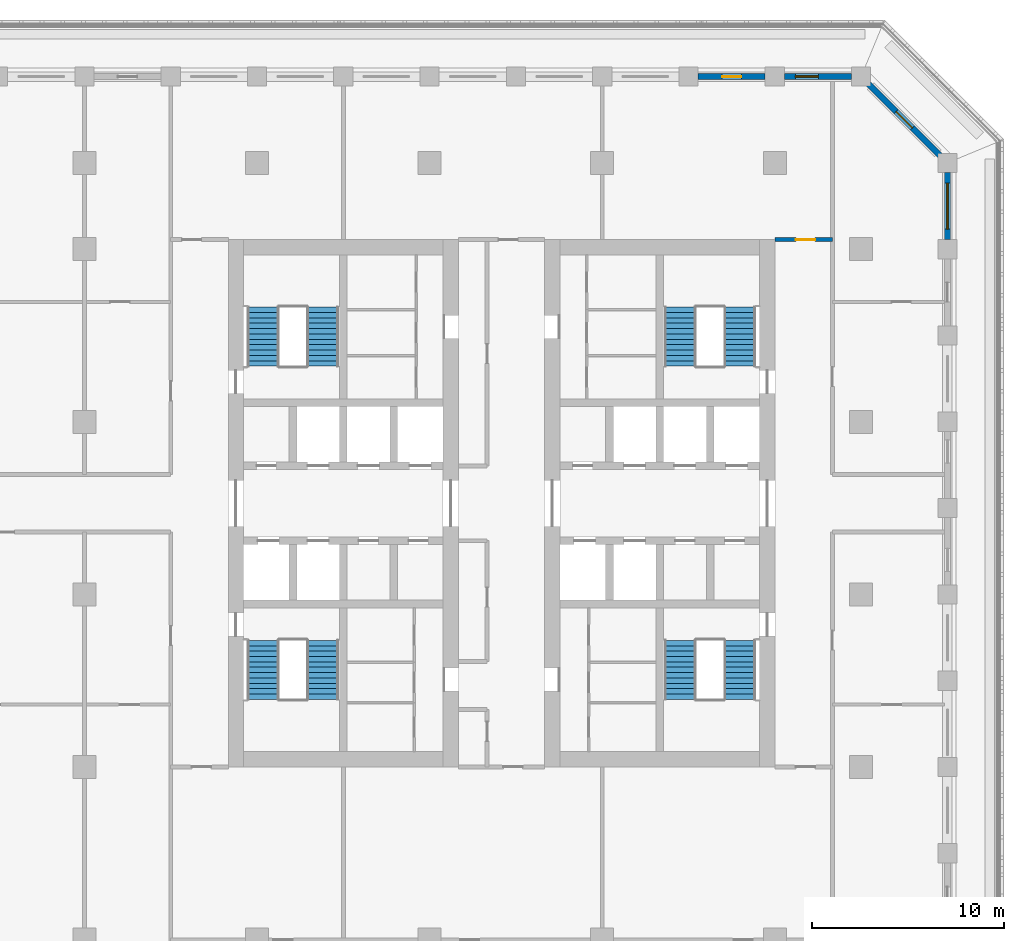
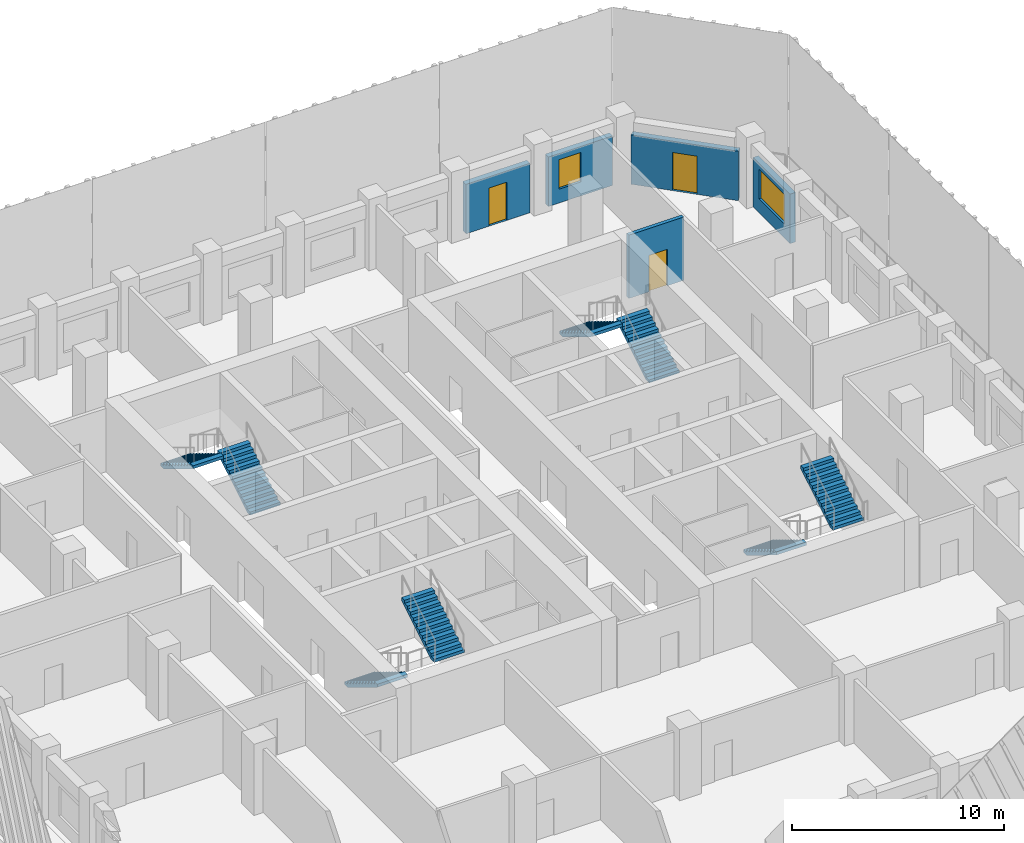
# One storey, part 8 of 16: 8 stair flights, 5 walls, 3 doors, 2 windows, 5 openings, 4 elements without a shape of their own.
"""IFC4 building model written with IfcOpenShell, lengths in metres."""

from ifc_helpers import new_model, si_unit, direction, frame, frame_2d, origin, place, context, subcontext, project, spatial, polyline, rectangle, outline, extrude, material, layer, layer_set, type_object, element, fill, aggregate, save


model = new_model("IFC4")

# Units and contexts
model_context = context("Model", 3, precision=1e-05, world=origin(), true_north=direction((0.0, 1.0)))
body_context = subcontext(model_context, "Body", "Model", "MODEL_VIEW")
ifc_project = project(units=[si_unit("LENGTHUNIT", "METRE"), si_unit("AREAUNIT", "SQUARE_METRE"), si_unit("VOLUMEUNIT", "CUBIC_METRE"), si_unit("PLANEANGLEUNIT", "RADIAN"), si_unit("MASSUNIT", "GRAM", prefix="KILO")], contexts=[model_context])

# Site, building, storey
site_placement = place(None, origin())
site = spatial("IfcSite", under=ifc_project, at=site_placement, CompositionType="ELEMENT")
building_placement = place(site_placement, origin())
building = spatial("IfcBuilding", under=site, at=building_placement, Name="Corbel Stack Research Tower", CompositionType="ELEMENT")
storey_placement = place(building_placement, frame((0.0, 0.0, 165.0)))
storey = spatial("IfcBuildingStorey", under=building, at=storey_placement, Name="L37", CompositionType="ELEMENT", Elevation=165.0)

# Wall, opening, door
ifc_material_1 = material(Name="Fire-rated gypsum board partition on steel studs", Category="steel")
ifc_layer_1 = layer(ifc_material_1, 0.199951171875)
ifc_layer_set_1 = layer_set([ifc_layer_1], Name="Fire-rated gypsum board partition on steel studs")
wall_type_1 = type_object("IfcWallType", Name="Fire-rated partition 200 EI 60", PredefinedType="PARTITIONING", material=ifc_layer_set_1)
wall_1_placement = place(storey_placement, frame((18.0, 18.5, 0.0), z_axis=(0.0, 0.0, 1.0), x_axis=(1.0, 0.0, 0.0)))
wall_1 = element("IfcWall", 1, at=wall_1_placement, inside=storey, type_object=wall_type_1, Name="Partition L37-044", PredefinedType="PARTITIONING", context=body_context, shape_type="SweptSolid", body=[
    extrude(rectangle(XDim=3.0, YDim=0.199951171875, at=frame_2d((1.5, 0.0))), origin(), (0.0, 0.0, 1.0), 3.64990234375),
])
opening_1_placement = place(wall_1_placement, frame((1.10009765625, 0.0, 0.0)))
opening_1 = element("IfcOpeningElement", 2, at=opening_1_placement, cuts=wall_1, Name="Opening B5V1-022", PredefinedType="OPENING", context=body_context, shape_type="SweptSolid", body=[
    extrude(rectangle(XDim=1.0, YDim=2.10009765625, at=frame_2d((0.5, 1.050048828125))), frame((0.0, 0.10986328125, 0.0), z_axis=(0.0, -1.0, 0.0), x_axis=(1.0, 0.0, 0.0)), (0.0, 0.0, 1.0), 0.219970703125),
])
ifc_material_2 = material(Name="Painted steel fire door", Category="steel")
door_type_1 = type_object("IfcDoorType", Name="Fire door FD30S 1000 x 2100", OperationType="NOTDEFINED", PredefinedType="DOOR", material=ifc_material_2)
door_1_placement = place(opening_1_placement, origin())
door_1 = element("IfcDoor", 3, at=door_1_placement, inside=storey, type_object=door_type_1, Name="Door B5V1-022", OperationType="SINGLE_SWING_RIGHT", OverallHeight=2.10009765625, OverallWidth=1.0, PredefinedType="DOOR", context=body_context, shape_type="SweptSolid", body=[
    extrude(rectangle(XDim=1.0, YDim=2.10009765625, at=frame_2d((0.5, 1.050048828125))), frame((0.0, 0.02490234375, 0.0), z_axis=(0.0, -1.0, 0.0), x_axis=(1.0, 0.0, 0.0)), (0.0, 0.0, 1.0), 0.050048828125),
])
fill(opening_1, door_1)

# Wall, opening, window
ifc_material_3 = material(Name="Concrete C45/55", Category="concrete")
ifc_layer_2 = layer(ifc_material_3, 0.300048828125)
ifc_layer_set_2 = layer_set([ifc_layer_2], Name="Concrete C45/55")
wall_type_2 = type_object("IfcWallType", Name="Terracotta-faced concrete wall 300", PredefinedType="SOLIDWALL", material=ifc_layer_set_2)
wall_2_placement = place(storey_placement, frame((27.0, 22.0, 0.0), z_axis=(0.0, 0.0, 1.0), x_axis=(0.0, -1.0, 0.0)))
wall_2 = element("IfcWall", 4, at=wall_2_placement, inside=storey, type_object=wall_type_2, Name="Facade wall L37 E10", PredefinedType="SOLIDWALL", context=body_context, shape_type="SweptSolid", body=[
    extrude(rectangle(XDim=3.5, YDim=0.300048828125, at=frame_2d((1.75, 0.0))), origin(), (0.0, 0.0, 1.0), 2.85009765625),
])
opening_2_placement = place(wall_2_placement, frame((0.550048828125, 0.0, 0.800048828125)))
opening_2 = element("IfcOpeningElement", 5, at=opening_2_placement, cuts=wall_2, Name="Opening W1", PredefinedType="OPENING", context=body_context, shape_type="SweptSolid", body=[
    extrude(rectangle(XDim=2.39990234375, YDim=1.699951171875, at=frame_2d((1.199951171875, 0.85009765625))), frame((0.0, 0.159912109375, 0.0), z_axis=(0.0, -1.0, 0.0), x_axis=(1.0, 0.0, 0.0)), (0.0, 0.0, 1.0), 0.320068359375),
])
ifc_material_4 = material(Name="Aluminium frame, clear double glazing", Category="aluminium")
window_type_1 = type_object("IfcWindowType", Name="Window W1 2400 x 1700", PartitioningType="SINGLE_PANEL", PredefinedType="WINDOW", material=ifc_material_4)
window_1_placement = place(opening_2_placement, origin())
window_1 = element("IfcWindow", 6, at=window_1_placement, inside=storey, type_object=window_type_1, Name="Window W1 L37 E10", OverallHeight=1.699951171875, OverallWidth=2.39990234375, PartitioningType="SINGLE_PANEL", PredefinedType="WINDOW", context=body_context, shape_type="SweptSolid", body=[
    extrude(rectangle(XDim=2.39990234375, YDim=1.699951171875, at=frame_2d((1.199951171875, 0.85009765625))), frame((0.0, 0.030029296875, 0.0), z_axis=(0.0, -1.0, 0.0), x_axis=(1.0, 0.0, 0.0)), (0.0, 0.0, 1.0), 0.06005859375),
])
fill(opening_2, window_1)

# Wall, opening, door
wall_3_placement = place(storey_placement, frame((22.893798828125, 26.606201171875, 0.0), z_axis=(0.0, 0.0, 1.0), x_axis=(0.707106781187, -0.707106781187, 0.0)))
wall_3 = element("IfcWall", 7, at=wall_3_placement, inside=storey, type_object=wall_type_2, Name="Facade wall L37 NE01", PredefinedType="SOLIDWALL", context=body_context, shape_type="SweptSolid", body=[
    extrude(rectangle(XDim=5.250244140625, YDim=0.300048828125, at=frame_2d((2.625, 0.0))), origin(), (0.0, 0.0, 1.0), 2.85009765625),
])
opening_3_placement = place(wall_3_placement, frame((2.02490234375, 0.0, 0.0)))
opening_3 = element("IfcOpeningElement", 8, at=opening_3_placement, cuts=wall_3, Name="Opening L37-B06", PredefinedType="OPENING", context=body_context, shape_type="SweptSolid", body=[
    extrude(rectangle(XDim=1.199951171875, YDim=2.199951171875, at=frame_2d((0.60009765625, 1.10009765625))), frame((0.0, 0.159912109375, 0.0), z_axis=(0.0, -1.0, 0.0), x_axis=(1.0, 0.0, 0.0)), (0.0, 0.0, 1.0), 0.320068359375),
])
ifc_material_5 = material(Name="Aluminium frame, clear double glazing", Category="aluminium")
door_type_2 = type_object("IfcDoorType", Name="Balcony door BD2 1200 x 2200", OperationType="NOTDEFINED", PredefinedType="DOOR", material=ifc_material_5)
door_2_placement = place(opening_3_placement, origin())
door_2 = element("IfcDoor", 9, at=door_2_placement, inside=storey, type_object=door_type_2, Name="Balcony door L37-B06", OperationType="SINGLE_SWING_RIGHT", OverallHeight=2.199951171875, OverallWidth=1.199951171875, PredefinedType="DOOR", context=body_context, shape_type="SweptSolid", body=[
    extrude(rectangle(XDim=1.199951171875, YDim=2.199951171875, at=frame_2d((0.60009765625, 1.10009765625))), frame((0.0, 0.02490234375, 0.0), z_axis=(0.0, -1.0, 0.0), x_axis=(1.0, 0.0, 0.0)), (0.0, 0.0, 1.0), 0.050048828125),
])
fill(opening_3, door_2)

# Wall, opening, window
wall_4_placement = place(storey_placement, frame((18.5, 27.0, 0.0), z_axis=(0.0, 0.0, 1.0), x_axis=(1.0, 0.0, 0.0)))
wall_4 = element("IfcWall", 10, at=wall_4_placement, inside=storey, type_object=wall_type_2, Name="Facade wall L37 N01", PredefinedType="SOLIDWALL", context=body_context, shape_type="SweptSolid", body=[
    extrude(rectangle(XDim=3.5, YDim=0.300048828125, at=frame_2d((1.75, 0.0))), origin(), (0.0, 0.0, 1.0), 2.85009765625),
])
opening_4_placement = place(wall_4_placement, frame((0.574951171875, 0.0, 0.800048828125)))
opening_4 = element("IfcOpeningElement", 11, at=opening_4_placement, cuts=wall_4, Name="Opening W2", PredefinedType="OPENING", context=body_context, shape_type="SweptSolid", body=[
    extrude(rectangle(XDim=1.199951171875, YDim=1.699951171875, at=frame_2d((0.60009765625, 0.85009765625))), frame((0.0, 0.159912109375, 0.0), z_axis=(0.0, -1.0, 0.0), x_axis=(1.0, 0.0, 0.0)), (0.0, 0.0, 1.0), 0.320068359375),
])
ifc_material_6 = material(Name="Aluminium frame, clear double glazing", Category="aluminium")
window_type_2 = type_object("IfcWindowType", Name="Window W2 1200 x 1700", PartitioningType="SINGLE_PANEL", PredefinedType="WINDOW", material=ifc_material_6)
window_2_placement = place(opening_4_placement, origin())
window_2 = element("IfcWindow", 12, at=window_2_placement, inside=storey, type_object=window_type_2, Name="Window W2 L37 N01", OverallHeight=1.699951171875, OverallWidth=1.199951171875, PartitioningType="SINGLE_PANEL", PredefinedType="WINDOW", context=body_context, shape_type="SweptSolid", body=[
    extrude(rectangle(XDim=1.199951171875, YDim=1.699951171875, at=frame_2d((0.60009765625, 0.85009765625))), frame((0.0, 0.030029296875, 0.0), z_axis=(0.0, -1.0, 0.0), x_axis=(1.0, 0.0, 0.0)), (0.0, 0.0, 1.0), 0.06005859375),
])
fill(opening_4, window_2)

# Wall, opening, door
wall_5_placement = place(storey_placement, frame((14.0, 27.0, 0.0), z_axis=(0.0, 0.0, 1.0), x_axis=(1.0, 0.0, 0.0)))
wall_5 = element("IfcWall", 13, at=wall_5_placement, inside=storey, type_object=wall_type_2, Name="Facade wall L37 N02", PredefinedType="SOLIDWALL", context=body_context, shape_type="SweptSolid", body=[
    extrude(rectangle(XDim=3.5, YDim=0.300048828125, at=frame_2d((1.75, 0.0))), origin(), (0.0, 0.0, 1.0), 2.85009765625),
])
opening_5_placement = place(wall_5_placement, frame((1.25, 0.0, 0.0)))
opening_5 = element("IfcOpeningElement", 14, at=opening_5_placement, cuts=wall_5, Name="Opening L37-B07", PredefinedType="OPENING", context=body_context, shape_type="SweptSolid", body=[
    extrude(rectangle(XDim=1.0, YDim=2.199951171875, at=frame_2d((0.5, 1.10009765625))), frame((0.0, 0.159912109375, 0.0), z_axis=(0.0, -1.0, 0.0), x_axis=(1.0, 0.0, 0.0)), (0.0, 0.0, 1.0), 0.320068359375),
])
ifc_material_7 = material(Name="Aluminium frame, clear double glazing", Category="aluminium")
door_type_3 = type_object("IfcDoorType", Name="Balcony door BD1 1000 x 2200", OperationType="NOTDEFINED", PredefinedType="DOOR", material=ifc_material_7)
door_3_placement = place(opening_5_placement, origin())
door_3 = element("IfcDoor", 15, at=door_3_placement, inside=storey, type_object=door_type_3, Name="Balcony door L37-B07", OperationType="SINGLE_SWING_LEFT", OverallHeight=2.199951171875, OverallWidth=1.0, PredefinedType="DOOR", context=body_context, shape_type="SweptSolid", body=[
    extrude(rectangle(XDim=1.0, YDim=2.199951171875, at=frame_2d((0.5, 1.10009765625))), frame((0.0, 0.02490234375, 0.0), z_axis=(0.0, -1.0, 0.0), x_axis=(1.0, 0.0, 0.0)), (0.0, 0.0, 1.0), 0.050048828125),
])
fill(opening_5, door_3)

# Stair, stair flights
ifc_material_8 = material(Name="Concrete C40/50", Category="concrete")
stair_type = type_object("IfcStairType", Name="Exit stair 24 risers", PredefinedType="HALF_TURN_STAIR", material=ifc_material_8)
stair_1_placement = place(storey_placement, origin())
stair_1 = element("IfcStair", 16, at=stair_1_placement, inside=storey, type_object=stair_type, Name="L37 Exit stair ST-W1", PredefinedType="HALF_TURN_STAIR")
ifc_material_9 = material(Name="Concrete C40/50", Category="concrete")
stair_flight_type = type_object("IfcStairFlightType", Name="Stair flight 12 risers", PredefinedType="STRAIGHT", material=ifc_material_9)
stair_flight_1_placement = place(storey_placement, frame((-8.675048828125, -2.39990234375, 0.0), z_axis=(0.0, 0.0, 1.0), x_axis=(0.0, -1.0, 0.0)))
stair_flight_1 = element("IfcStairFlight", 17, at=stair_flight_1_placement, type_object=stair_flight_type, Name="ST-W1 flight 1", NumberOfRisers=12, NumberOfTreads=11, PredefinedType="STRAIGHT", RiserHeight=0.170833333, TreadLength=0.28, context=body_context, shape_type="SweptSolid", body=[
    extrude(outline(polyline([(0.0, 0.0), (0.0, 0.1708984375), (0.280029296875, 0.1708984375), (0.280029296875, 0.341552734375), (0.56005859375, 0.341552734375), (0.56005859375, 0.512451171875), (0.840087890625, 0.512451171875), (0.840087890625, 0.683349609375), (1.1201171875, 0.683349609375), (1.1201171875, 0.854248046875), (1.39990234375, 0.854248046875), (1.39990234375, 1.02490234375), (1.679931640625, 1.02490234375), (1.679931640625, 1.19580078125), (1.9599609375, 1.19580078125), (1.9599609375, 1.36669921875), (2.239990234375, 1.36669921875), (2.239990234375, 1.53759765625), (2.52001953125, 1.53759765625), (2.52001953125, 1.708251953125), (2.800048828125, 1.708251953125), (2.800048828125, 1.879150390625), (3.080078125, 1.879150390625), (3.080078125, 2.050048828125), (3.080078125, 1.70361328125), (0.287841796875, 0.0), (0.0, 0.0)])), frame((0.0, 0.824951171875, 0.0), z_axis=(0.0, -1.0, 0.0), x_axis=(1.0, 0.0, 0.0)), (0.0, 0.0, 1.0), 1.64990234375),
])
stair_flight_2_placement = place(storey_placement, frame((-5.574951171875, -5.47998046875, 2.050048828125), z_axis=(0.0, 0.0, 1.0), x_axis=(0.0, 1.0, 0.0)))
stair_flight_2 = element("IfcStairFlight", 18, at=stair_flight_2_placement, type_object=stair_flight_type, Name="ST-W1 flight 2", NumberOfRisers=12, NumberOfTreads=11, PredefinedType="STRAIGHT", RiserHeight=0.170833333, TreadLength=0.28, context=body_context, shape_type="SweptSolid", body=[
    extrude(outline(polyline([(0.0, 0.0), (0.0, 0.1708984375), (0.280029296875, 0.1708984375), (0.280029296875, 0.341552734375), (0.56005859375, 0.341552734375), (0.56005859375, 0.512451171875), (0.840087890625, 0.512451171875), (0.840087890625, 0.683349609375), (1.1201171875, 0.683349609375), (1.1201171875, 0.854248046875), (1.39990234375, 0.854248046875), (1.39990234375, 1.02490234375), (1.679931640625, 1.02490234375), (1.679931640625, 1.19580078125), (1.9599609375, 1.19580078125), (1.9599609375, 1.36669921875), (2.239990234375, 1.36669921875), (2.239990234375, 1.53759765625), (2.52001953125, 1.53759765625), (2.52001953125, 1.708251953125), (2.800048828125, 1.708251953125), (2.800048828125, 1.879150390625), (3.080078125, 1.879150390625), (3.080078125, 2.050048828125), (3.080078125, 1.70361328125), (0.287841796875, 0.0), (0.0, 0.0)])), frame((0.0, 0.824951171875, 0.0), z_axis=(0.0, -1.0, 0.0), x_axis=(1.0, 0.0, 0.0)), (0.0, 0.0, 1.0), 1.64990234375),
])
aggregate(stair_1, [stair_flight_1, stair_flight_2])

stair_2_placement = place(storey_placement, origin())
stair_2 = element("IfcStair", 19, at=stair_2_placement, inside=storey, type_object=stair_type, Name="L37 Exit stair ST-W2", PredefinedType="HALF_TURN_STAIR")
stair_flight_3_placement = place(storey_placement, frame((-5.574951171875, 11.89990234375, 0.0), z_axis=(0.0, 0.0, 1.0), x_axis=(0.0, 1.0, 0.0)))
stair_flight_3 = element("IfcStairFlight", 20, at=stair_flight_3_placement, type_object=stair_flight_type, Name="ST-W2 flight 1", NumberOfRisers=12, NumberOfTreads=11, PredefinedType="STRAIGHT", RiserHeight=0.170833333, TreadLength=0.28, context=body_context, shape_type="SweptSolid", body=[
    extrude(outline(polyline([(0.0, 0.0), (0.0, 0.1708984375), (0.280029296875, 0.1708984375), (0.280029296875, 0.341552734375), (0.56005859375, 0.341552734375), (0.56005859375, 0.512451171875), (0.840087890625, 0.512451171875), (0.840087890625, 0.683349609375), (1.1201171875, 0.683349609375), (1.1201171875, 0.854248046875), (1.39990234375, 0.854248046875), (1.39990234375, 1.02490234375), (1.679931640625, 1.02490234375), (1.679931640625, 1.19580078125), (1.9599609375, 1.19580078125), (1.9599609375, 1.36669921875), (2.239990234375, 1.36669921875), (2.239990234375, 1.53759765625), (2.52001953125, 1.53759765625), (2.52001953125, 1.708251953125), (2.800048828125, 1.708251953125), (2.800048828125, 1.879150390625), (3.080078125, 1.879150390625), (3.080078125, 2.050048828125), (3.080078125, 1.70361328125), (0.287841796875, 0.0), (0.0, 0.0)])), frame((0.0, 0.824951171875, 0.0), z_axis=(0.0, -1.0, 0.0), x_axis=(1.0, 0.0, 0.0)), (0.0, 0.0, 1.0), 1.64990234375),
])
stair_flight_4_placement = place(storey_placement, frame((-8.675048828125, 14.97998046875, 2.050048828125), z_axis=(0.0, 0.0, 1.0), x_axis=(0.0, -1.0, 0.0)))
stair_flight_4 = element("IfcStairFlight", 21, at=stair_flight_4_placement, type_object=stair_flight_type, Name="ST-W2 flight 2", NumberOfRisers=12, NumberOfTreads=11, PredefinedType="STRAIGHT", RiserHeight=0.170833333, TreadLength=0.28, context=body_context, shape_type="SweptSolid", body=[
    extrude(outline(polyline([(0.0, 0.0), (0.0, 0.1708984375), (0.280029296875, 0.1708984375), (0.280029296875, 0.341552734375), (0.56005859375, 0.341552734375), (0.56005859375, 0.512451171875), (0.840087890625, 0.512451171875), (0.840087890625, 0.683349609375), (1.1201171875, 0.683349609375), (1.1201171875, 0.854248046875), (1.39990234375, 0.854248046875), (1.39990234375, 1.02490234375), (1.679931640625, 1.02490234375), (1.679931640625, 1.19580078125), (1.9599609375, 1.19580078125), (1.9599609375, 1.36669921875), (2.239990234375, 1.36669921875), (2.239990234375, 1.53759765625), (2.52001953125, 1.53759765625), (2.52001953125, 1.708251953125), (2.800048828125, 1.708251953125), (2.800048828125, 1.879150390625), (3.080078125, 1.879150390625), (3.080078125, 2.050048828125), (3.080078125, 1.70361328125), (0.287841796875, 0.0), (0.0, 0.0)])), frame((0.0, 0.824951171875, 0.0), z_axis=(0.0, -1.0, 0.0), x_axis=(1.0, 0.0, 0.0)), (0.0, 0.0, 1.0), 1.64990234375),
])
aggregate(stair_2, [stair_flight_3, stair_flight_4])

stair_3_placement = place(storey_placement, origin())
stair_3 = element("IfcStair", 22, at=stair_3_placement, inside=storey, type_object=stair_type, Name="L37 Exit stair ST-E1", PredefinedType="HALF_TURN_STAIR")
stair_flight_5_placement = place(storey_placement, frame((13.074951171875, -2.39990234375, 0.0), z_axis=(0.0, 0.0, 1.0), x_axis=(0.0, -1.0, 0.0)))
stair_flight_5 = element("IfcStairFlight", 23, at=stair_flight_5_placement, type_object=stair_flight_type, Name="ST-E1 flight 1", NumberOfRisers=12, NumberOfTreads=11, PredefinedType="STRAIGHT", RiserHeight=0.170833333, TreadLength=0.28, context=body_context, shape_type="SweptSolid", body=[
    extrude(outline(polyline([(0.0, 0.0), (0.0, 0.1708984375), (0.280029296875, 0.1708984375), (0.280029296875, 0.341552734375), (0.56005859375, 0.341552734375), (0.56005859375, 0.512451171875), (0.840087890625, 0.512451171875), (0.840087890625, 0.683349609375), (1.1201171875, 0.683349609375), (1.1201171875, 0.854248046875), (1.39990234375, 0.854248046875), (1.39990234375, 1.02490234375), (1.679931640625, 1.02490234375), (1.679931640625, 1.19580078125), (1.9599609375, 1.19580078125), (1.9599609375, 1.36669921875), (2.239990234375, 1.36669921875), (2.239990234375, 1.53759765625), (2.52001953125, 1.53759765625), (2.52001953125, 1.708251953125), (2.800048828125, 1.708251953125), (2.800048828125, 1.879150390625), (3.080078125, 1.879150390625), (3.080078125, 2.050048828125), (3.080078125, 1.70361328125), (0.287841796875, 0.0), (0.0, 0.0)])), frame((0.0, 0.824951171875, 0.0), z_axis=(0.0, -1.0, 0.0), x_axis=(1.0, 0.0, 0.0)), (0.0, 0.0, 1.0), 1.64990234375),
])
stair_flight_6_placement = place(storey_placement, frame((16.175048828125, -5.47998046875, 2.050048828125), z_axis=(0.0, 0.0, 1.0), x_axis=(0.0, 1.0, 0.0)))
stair_flight_6 = element("IfcStairFlight", 24, at=stair_flight_6_placement, type_object=stair_flight_type, Name="ST-E1 flight 2", NumberOfRisers=12, NumberOfTreads=11, PredefinedType="STRAIGHT", RiserHeight=0.170833333, TreadLength=0.28, context=body_context, shape_type="SweptSolid", body=[
    extrude(outline(polyline([(0.0, 0.0), (0.0, 0.1708984375), (0.280029296875, 0.1708984375), (0.280029296875, 0.341552734375), (0.56005859375, 0.341552734375), (0.56005859375, 0.512451171875), (0.840087890625, 0.512451171875), (0.840087890625, 0.683349609375), (1.1201171875, 0.683349609375), (1.1201171875, 0.854248046875), (1.39990234375, 0.854248046875), (1.39990234375, 1.02490234375), (1.679931640625, 1.02490234375), (1.679931640625, 1.19580078125), (1.9599609375, 1.19580078125), (1.9599609375, 1.36669921875), (2.239990234375, 1.36669921875), (2.239990234375, 1.53759765625), (2.52001953125, 1.53759765625), (2.52001953125, 1.708251953125), (2.800048828125, 1.708251953125), (2.800048828125, 1.879150390625), (3.080078125, 1.879150390625), (3.080078125, 2.050048828125), (3.080078125, 1.70361328125), (0.287841796875, 0.0), (0.0, 0.0)])), frame((0.0, 0.824951171875, 0.0), z_axis=(0.0, -1.0, 0.0), x_axis=(1.0, 0.0, 0.0)), (0.0, 0.0, 1.0), 1.64990234375),
])
aggregate(stair_3, [stair_flight_5, stair_flight_6])

stair_4_placement = place(storey_placement, origin())
stair_4 = element("IfcStair", 25, at=stair_4_placement, inside=storey, type_object=stair_type, Name="L37 Exit stair ST-E2", PredefinedType="HALF_TURN_STAIR")
stair_flight_7_placement = place(storey_placement, frame((16.175048828125, 11.89990234375, 0.0), z_axis=(0.0, 0.0, 1.0), x_axis=(0.0, 1.0, 0.0)))
stair_flight_7 = element("IfcStairFlight", 26, at=stair_flight_7_placement, type_object=stair_flight_type, Name="ST-E2 flight 1", NumberOfRisers=12, NumberOfTreads=11, PredefinedType="STRAIGHT", RiserHeight=0.170833333, TreadLength=0.28, context=body_context, shape_type="SweptSolid", body=[
    extrude(outline(polyline([(0.0, 0.0), (0.0, 0.1708984375), (0.280029296875, 0.1708984375), (0.280029296875, 0.341552734375), (0.56005859375, 0.341552734375), (0.56005859375, 0.512451171875), (0.840087890625, 0.512451171875), (0.840087890625, 0.683349609375), (1.1201171875, 0.683349609375), (1.1201171875, 0.854248046875), (1.39990234375, 0.854248046875), (1.39990234375, 1.02490234375), (1.679931640625, 1.02490234375), (1.679931640625, 1.19580078125), (1.9599609375, 1.19580078125), (1.9599609375, 1.36669921875), (2.239990234375, 1.36669921875), (2.239990234375, 1.53759765625), (2.52001953125, 1.53759765625), (2.52001953125, 1.708251953125), (2.800048828125, 1.708251953125), (2.800048828125, 1.879150390625), (3.080078125, 1.879150390625), (3.080078125, 2.050048828125), (3.080078125, 1.70361328125), (0.287841796875, 0.0), (0.0, 0.0)])), frame((0.0, 0.824951171875, 0.0), z_axis=(0.0, -1.0, 0.0), x_axis=(1.0, 0.0, 0.0)), (0.0, 0.0, 1.0), 1.64990234375),
])
stair_flight_8_placement = place(storey_placement, frame((13.074951171875, 14.97998046875, 2.050048828125), z_axis=(0.0, 0.0, 1.0), x_axis=(0.0, -1.0, 0.0)))
stair_flight_8 = element("IfcStairFlight", 27, at=stair_flight_8_placement, type_object=stair_flight_type, Name="ST-E2 flight 2", NumberOfRisers=12, NumberOfTreads=11, PredefinedType="STRAIGHT", RiserHeight=0.170833333, TreadLength=0.28, context=body_context, shape_type="SweptSolid", body=[
    extrude(outline(polyline([(0.0, 0.0), (0.0, 0.1708984375), (0.280029296875, 0.1708984375), (0.280029296875, 0.341552734375), (0.56005859375, 0.341552734375), (0.56005859375, 0.512451171875), (0.840087890625, 0.512451171875), (0.840087890625, 0.683349609375), (1.1201171875, 0.683349609375), (1.1201171875, 0.854248046875), (1.39990234375, 0.854248046875), (1.39990234375, 1.02490234375), (1.679931640625, 1.02490234375), (1.679931640625, 1.19580078125), (1.9599609375, 1.19580078125), (1.9599609375, 1.36669921875), (2.239990234375, 1.36669921875), (2.239990234375, 1.53759765625), (2.52001953125, 1.53759765625), (2.52001953125, 1.708251953125), (2.800048828125, 1.708251953125), (2.800048828125, 1.879150390625), (3.080078125, 1.879150390625), (3.080078125, 2.050048828125), (3.080078125, 1.70361328125), (0.287841796875, 0.0), (0.0, 0.0)])), frame((0.0, 0.824951171875, 0.0), z_axis=(0.0, -1.0, 0.0), x_axis=(1.0, 0.0, 0.0)), (0.0, 0.0, 1.0), 1.64990234375),
])
aggregate(stair_4, [stair_flight_7, stair_flight_8])

save(model, "model.ifc")
